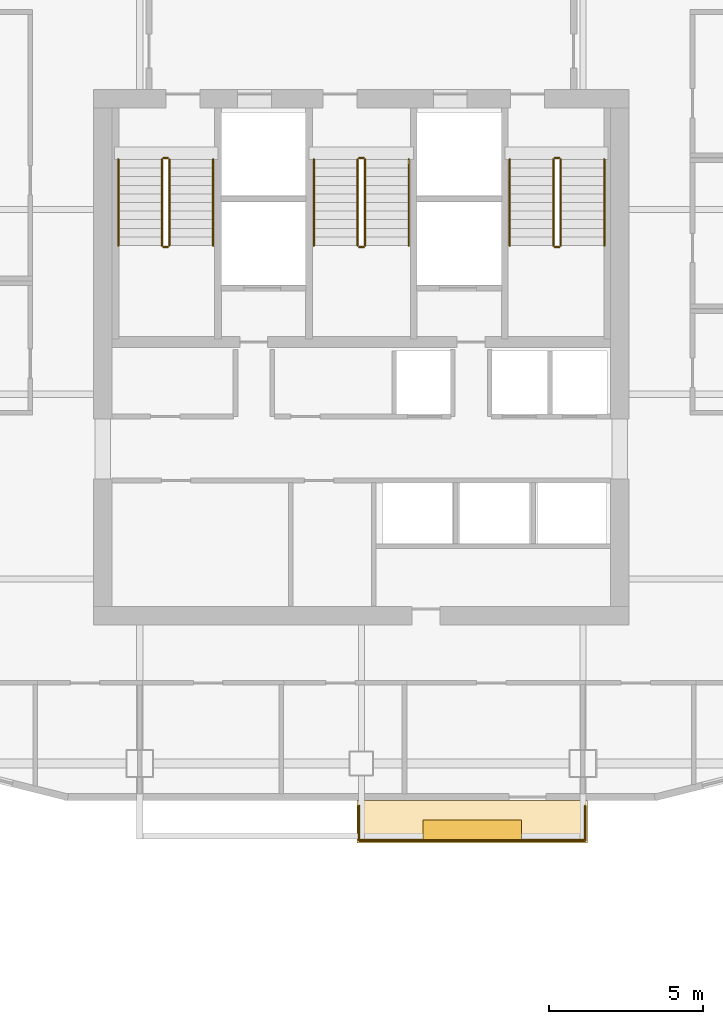
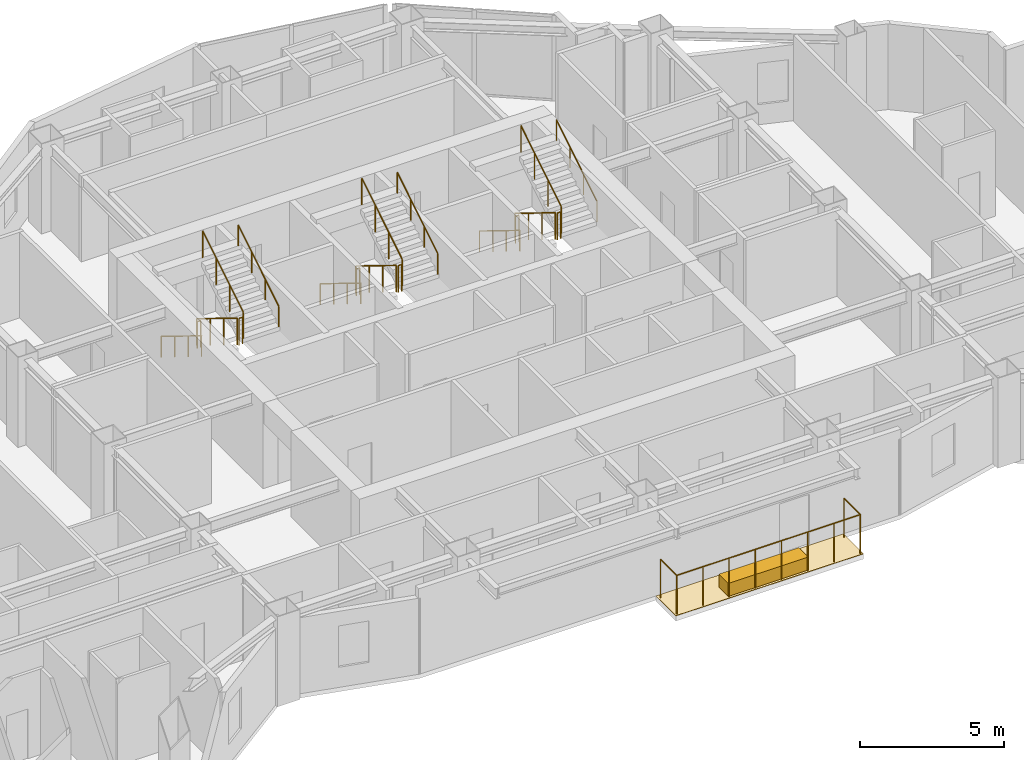
# One storey, part 11 of 11: 20 railings, 2 coverings.
"""IFC4 building model written with IfcOpenShell, lengths in metres."""

import ifcopenshell
import ifcopenshell.guid

model = None  # the IFC model being written
_history = None  # IfcOwnerHistory: only IFC2X3 demands one
_inside = {}  # id of a spatial element -> (the spatial element, [elements in it])
_under = {}  # id of a project, library or spatial element -> (it, [spatial elements below it])
_declared = {}  # id of a project -> (the project, [libraries it declares])
_typed = {}  # id of a type object -> (the type object, [elements of that type])
_made_of = {}  # id of a material, layer set ... -> (it, [elements and type objects made of it])


def new_model(schema):
    """Start an empty IFC model of exactly this schema.

    Asked for "IFC4X3", IfcOpenShell would pick the latest addendum, in which some entities
    have other attributes; the version numbers below select the first issue.
    IFC2X3 requires an IfcOwnerHistory on every rooted entity: one is made here for all.
    """
    global model, _history
    if schema == "IFC4X3":
        model = ifcopenshell.file(schema_version=(4, 3, 0, 0))
    else:
        model = ifcopenshell.file(schema=schema)
    _inside.clear()
    _under.clear()
    _declared.clear()
    _typed.clear()
    _made_of.clear()
    _history = None
    if model.schema == "IFC2X3":
        org = make("IfcOrganization", Name="unknown")
        user = make(
            "IfcPersonAndOrganization",
            ThePerson=make("IfcPerson", FamilyName="unknown"),
            TheOrganization=org,
        )
        app = make(
            "IfcApplication",
            ApplicationDeveloper=org,
            Version="unknown",
            ApplicationFullName="unknown",
            ApplicationIdentifier="unknown",
        )
        _history = make(
            "IfcOwnerHistory",
            OwningUser=user,
            OwningApplication=app,
            ChangeAction="ADDED",
            CreationDate=0,
        )
    return model


def make(cls, **values):
    """One entity of the class cls with the attributes given. An attribute that is None is left unset."""
    return model.create_entity(
        cls, **{name: value for name, value in values.items() if value is not None}
    )


def rooted(cls, **values):
    """An entity with a GlobalId (a new one), such as an element, a storey or a relation."""
    return make(cls, GlobalId=ifcopenshell.guid.new(), OwnerHistory=_history, **values)


def si_unit(unit_type, name, prefix=None):
    """IfcSIUnit, for example si_unit("LENGTHUNIT", "METRE", prefix="MILLI")."""
    return make("IfcSIUnit", UnitType=unit_type, Prefix=prefix, Name=name)


def assignment(units):
    """IfcUnitAssignment: the units of a project."""
    return None if units is None else make("IfcUnitAssignment", Units=units)


def point(xyz):
    """IfcCartesianPoint."""
    return None if xyz is None else make("IfcCartesianPoint", Coordinates=xyz)


def direction(xyz):
    """IfcDirection."""
    return None if xyz is None else make("IfcDirection", DirectionRatios=xyz)


def frame(location, z_axis=None, x_axis=None):
    """IfcAxis2Placement3D, a coordinate frame: its origin and axes. An axis left out is left unset."""
    return make(
        "IfcAxis2Placement3D",
        Location=point(location),
        Axis=direction(z_axis),
        RefDirection=direction(x_axis),
    )


def frame_2d(location, x_axis=None):
    """IfcAxis2Placement2D, a coordinate frame in the plane: its origin and x axis."""
    return make(
        "IfcAxis2Placement2D", Location=point(location), RefDirection=direction(x_axis)
    )


def origin():
    """The frame at (0, 0, 0) with its axes left unset."""
    return frame((0.0, 0.0, 0.0))


def origin_2d():
    """The frame at (0, 0) in the plane with its x axis left unset."""
    return frame_2d((0.0, 0.0))


def place(relative_to, where):
    """IfcLocalPlacement: puts the frame where relative to a parent placement (None: the world)."""
    return make(
        "IfcLocalPlacement", PlacementRelTo=relative_to, RelativePlacement=where
    )


def context(
    kind, dimensions, precision=None, world=None, true_north=None, identifier=None
):
    """IfcGeometricRepresentationContext, for example the 3D "Model" context."""
    return make(
        "IfcGeometricRepresentationContext",
        ContextIdentifier=identifier,
        ContextType=kind,
        CoordinateSpaceDimension=dimensions,
        Precision=precision,
        WorldCoordinateSystem=world,
        TrueNorth=true_north,
    )


def subcontext(parent, identifier, kind, view, scale=None):
    """IfcGeometricRepresentationSubContext, for example "Body" below "Model"."""
    return make(
        "IfcGeometricRepresentationSubContext",
        ContextIdentifier=identifier,
        ContextType=kind,
        ParentContext=parent,
        TargetScale=scale,
        TargetView=view,
    )


def project(units=None, contexts=None):
    """IfcProject with its units and contexts."""
    return rooted(
        "IfcProject",
        Name="project",
        RepresentationContexts=contexts,
        UnitsInContext=assignment(units),
    )


def spatial(cls, under=None, at=None, **own):
    """A site, building, storey or space (cls), placed at a placement, below another one or the project."""
    s = rooted(cls, ObjectPlacement=at, **own)
    if under is not None:
        _under.setdefault(under.id(), (under, []))[1].append(s)
    return s


def polyline(points):
    """IfcPolyline through the points."""
    return make("IfcPolyline", Points=[point(p) for p in points])


def profile(cls, at=None, kind="AREA", **sizes):
    """A parametric profile (cls). Its sizes go by their IFC names, for example OverallWidth=200.0."""
    return make(cls, ProfileType=kind, Position=at, **sizes)


def rectangle(**sizes):
    """IfcRectangleProfileDef."""
    return profile("IfcRectangleProfileDef", **sizes)


def circle(**sizes):
    """IfcCircleProfileDef."""
    return profile("IfcCircleProfileDef", **sizes)


def outline(outer, holes=None, kind="AREA"):
    """IfcArbitraryClosedProfileDef: a profile drawn as a closed curve; with holes, ...WithVoids."""
    if holes is None:
        return make("IfcArbitraryClosedProfileDef", ProfileType=kind, OuterCurve=outer)
    return make(
        "IfcArbitraryProfileDefWithVoids",
        ProfileType=kind,
        OuterCurve=outer,
        InnerCurves=holes,
    )


def extrude(swept, where, along, depth):
    """IfcExtrudedAreaSolid: the profile swept, set in the frame where, extruded along a direction by depth."""
    return make(
        "IfcExtrudedAreaSolid",
        SweptArea=swept,
        Position=where,
        ExtrudedDirection=direction(along),
        Depth=depth,
    )


def shape(context_of_items, identifier, shape_type, items):
    """IfcShapeRepresentation: the items that make up one representation, for example the "Body"."""
    return make(
        "IfcShapeRepresentation",
        ContextOfItems=context_of_items,
        RepresentationIdentifier=identifier,
        RepresentationType=shape_type,
        Items=items,
    )


def material(Name=None, Category=None):
    """IfcMaterial."""
    return make("IfcMaterial", Name=Name, Category=Category)


def layer(
    of_material, thickness, ventilated=None, Name=None, Category=None, Priority=None
):
    """IfcMaterialLayer: one layer of a wall or slab, of a material (None: an air gap)."""
    return make(
        "IfcMaterialLayer",
        Material=of_material,
        LayerThickness=thickness,
        IsVentilated=ventilated,
        Name=Name,
        Category=Category,
        Priority=Priority,
    )


def layer_set(layers, Name=None):
    """IfcMaterialLayerSet."""
    return make("IfcMaterialLayerSet", MaterialLayers=layers, LayerSetName=Name)


def made_of(thing, what):
    """Note that an element or type object is made of a material, layer set ...; save() writes the relation."""
    if what is not None:
        _made_of.setdefault(what.id(), (what, []))[1].append(thing)
    return thing


def type_object(cls, material=None, **own):
    """A type object (cls), such as IfcWallType, which elements share."""
    return made_of(rooted(cls, **own), material)


def element(
    cls,
    number,
    at=None,
    inside=None,
    cuts=None,
    type_object=None,
    material=None,
    context=None,
    identifier="Body",
    shape_type=None,
    held_by="IfcProductDefinitionShape",
    body=None,
    shapes=None,
    **own,
):
    """One element of the class cls, such as IfcWall. Its Tag is "e" and its number.

    at: its placement. inside: the storey or other place that contains it. cuts: it is an
    opening in that element (IfcRelVoidsElement). A single representation is given by context,
    identifier, shape_type and body (its items); several are given by shapes. held_by: the class
    of the entity that holds the representations. save() writes the other relations.
    """
    e = rooted(cls, Tag="e%d" % number, ObjectPlacement=at, **own)
    if body is not None:
        shapes = [shape(context, identifier, shape_type, body)]
    if shapes is not None:
        e.Representation = make(held_by, Representations=shapes)
    if inside is not None:
        _inside.setdefault(inside.id(), (inside, []))[1].append(e)
    if cuts is not None:
        rooted(
            "IfcRelVoidsElement", RelatingBuildingElement=cuts, RelatedOpeningElement=e
        )
    if type_object is not None:
        _typed.setdefault(type_object.id(), (type_object, []))[1].append(e)
    return made_of(e, material)


def aggregate(whole, parts):
    """IfcRelAggregates: a whole, such as a stair, and the parts it consists of."""
    return rooted("IfcRelAggregates", RelatingObject=whole, RelatedObjects=parts)


def save(model, path):
    """Write the relations noted so far, then the file.

    IfcRelAggregates (storeys below a building ...), IfcRelContainedInSpatialStructure (elements
    in a storey), IfcRelDefinesByType, IfcRelAssociatesMaterial and IfcRelDeclares: one each for
    every whole, place, type object, material and project.
    """
    for whole, parts in _under.values():
        aggregate(whole, parts)
    for where, things in _inside.values():
        rooted(
            "IfcRelContainedInSpatialStructure",
            RelatedElements=things,
            RelatingStructure=where,
        )
    for kind, things in _typed.values():
        rooted("IfcRelDefinesByType", RelatedObjects=things, RelatingType=kind)
    for what, things in _made_of.values():
        rooted("IfcRelAssociatesMaterial", RelatedObjects=things, RelatingMaterial=what)
    for by, libraries in _declared.values():
        rooted("IfcRelDeclares", RelatingContext=by, RelatedDefinitions=libraries)
    model.write(path)


model = new_model("IFC4")

# Units and contexts
model_context = context("Model", 3, precision=1e-05, world=origin(), true_north=direction((0.0, 1.0)))
body_context = subcontext(model_context, "Body", "Model", "MODEL_VIEW")
ifc_project = project(units=[si_unit("LENGTHUNIT", "METRE"), si_unit("AREAUNIT", "SQUARE_METRE"), si_unit("VOLUMEUNIT", "CUBIC_METRE"), si_unit("PLANEANGLEUNIT", "RADIAN"), si_unit("MASSUNIT", "GRAM", prefix="KILO")], contexts=[model_context])

# Site, building, storey
site_placement = place(None, origin())
site = spatial("IfcSite", under=ifc_project, at=site_placement, CompositionType="ELEMENT")
building_placement = place(site_placement, origin())
building = spatial("IfcBuilding", under=site, at=building_placement, Name="Haolan Belvedere Tower", CompositionType="ELEMENT")
storey_placement = place(building_placement, frame((0.0, 0.0, 188.0)))
storey = spatial("IfcBuildingStorey", under=building, at=storey_placement, Name="L47", CompositionType="ELEMENT", Elevation=188.0)

# Coverings
ifc_material_1 = material(Name="Engineered lightweight planted garden soil substrate", Category="masonry")
ifc_layer_1 = layer(ifc_material_1, 0.550048828125, Name="Engineered lightweight planted garden soil substrate")
ifc_layer_set_1 = layer_set([ifc_layer_1], Name="Engineered lightweight planted garden soil substrate")
covering_type_1 = type_object("IfcCoveringType", Name="COV-PLANT-550", PredefinedType="MEMBRANE", material=ifc_layer_set_1)
covering_1_placement = place(storey_placement, frame((42.0, 19.43994140625, 0.0), z_axis=(0.0, 0.0, 1.0), x_axis=(1.0, 0.0, 0.0)))
element("IfcCovering", 1, at=covering_1_placement, inside=storey, type_object=covering_type_1, Name="L47 structural tree balcony PLANTER box 1", PredefinedType="MEMBRANE", context=body_context, shape_type="SweptSolid", body=[
    extrude(rectangle(XDim=3.199951171875, YDim=0.64990234375, at=origin_2d()), origin(), (0.0, 0.0, 1.0), 0.550048828125),
])
ifc_material_2 = material(Name="Elastomeric waterproof roofing membrane and stone pavers", Category="masonry")
ifc_layer_2 = layer(ifc_material_2, 0.02001953125, Name="Elastomeric waterproof roofing membrane and stone pavers")
ifc_layer_set_2 = layer_set([ifc_layer_2], Name="Elastomeric waterproof roofing membrane and stone pavers")
covering_type_2 = type_object("IfcCoveringType", Name="COV-ROOF-20", PredefinedType="ROOFING", material=ifc_layer_set_2)
covering_2_placement = place(storey_placement, frame((0.0, 0.0, -0.02001953125)))
element("IfcCovering", 2, at=covering_2_placement, inside=storey, type_object=covering_type_2, Name="L47 tree-balcony waterproof membrane 1", PredefinedType="ROOFING", context=body_context, shape_type="SweptSolid", body=[
    extrude(outline(polyline([(38.25, 19.02001953125), (45.75, 19.02001953125), (45.75, 20.39990234375), (38.25, 20.39990234375), (38.25, 19.02001953125)])), origin(), (0.0, 0.0, 1.0), 0.02001953125),
])

# Railings
ifc_material_3 = material(Name="Brushed stainless steel 304", Category="steel")
railing_type_1 = type_object("IfcRailingType", Name="RL-STAIR-GRD-1150", PredefinedType="GUARDRAIL", material=ifc_material_3)
railing_1_placement = place(storey_placement, frame((31.919921875, 41.22998046875, 0.172607421875)))
element("IfcRailing", 3, at=railing_1_placement, inside=storey, type_object=railing_type_1, Name="L47 ST1 stair guard 1", PredefinedType="GUARDRAIL", context=body_context, shape_type="SweptSolid", body=[
    extrude(circle(Radius=0.02392578125, at=origin_2d()), frame((0.0, 0.0, 1.1259765625), z_axis=(0.0, -0.851089632645, 0.525020415988), x_axis=(1.0, 0.0, 0.0)), (0.0, 0.0, 1.0), 3.2900390625),
    extrude(circle(Radius=0.02099609375, at=origin_2d()), origin(), (0.0, 0.0, 1.0), 1.101806640625),
    extrude(circle(Radius=0.02099609375, at=origin_2d()), frame((0.0, -0.933349609375, 0.57568359375)), (0.0, 0.0, 1.0), 1.101806640625),
    extrude(circle(Radius=0.02099609375, at=origin_2d()), frame((0.0, -1.86669921875, 1.151611328125)), (0.0, 0.0, 1.0), 1.101806640625),
    extrude(circle(Radius=0.02099609375, at=origin_2d()), frame((0.0, -2.800048828125, 1.727294921875)), (0.0, 0.0, 1.0), 1.101806640625),
])
railing_2_placement = place(storey_placement, frame((31.969970703125, 38.3798828125, 1.89990234375)))
element("IfcRailing", 4, at=railing_2_placement, inside=storey, type_object=railing_type_1, Name="L47 ST1 stair guard 2", PredefinedType="GUARDRAIL", context=body_context, shape_type="SweptSolid", body=[
    extrude(circle(Radius=0.02392578125, at=origin_2d()), frame((0.0, 0.0, 1.1259765625), z_axis=(1.0, 0.0, 0.0), x_axis=(0.0, 1.0, 0.0)), (0.0, 0.0, 1.0), 0.14013671875),
    extrude(circle(Radius=0.02099609375, at=origin_2d()), origin(), (0.0, 0.0, 1.0), 1.101806640625),
    extrude(circle(Radius=0.02099609375, at=origin_2d()), frame((0.14013671875, 0.0, 0.0)), (0.0, 0.0, 1.0), 1.101806640625),
])
railing_3_placement = place(storey_placement, frame((32.159912109375, 38.429931640625, 2.07275390625)))
element("IfcRailing", 5, at=railing_3_placement, inside=storey, type_object=railing_type_1, Name="L47 ST1 stair guard 3", PredefinedType="GUARDRAIL", context=body_context, shape_type="SweptSolid", body=[
    extrude(circle(Radius=0.02392578125, at=origin_2d()), frame((0.0, 0.0, 1.1259765625), z_axis=(0.0, 0.851089632645, 0.525020415988), x_axis=(-1.0, 0.0, 0.0)), (0.0, 0.0, 1.0), 3.2900390625),
    extrude(circle(Radius=0.02099609375, at=origin_2d()), origin(), (0.0, 0.0, 1.0), 1.101806640625),
    extrude(circle(Radius=0.02099609375, at=origin_2d()), frame((0.0, 0.933349609375, 0.57568359375)), (0.0, 0.0, 1.0), 1.101806640625),
    extrude(circle(Radius=0.02099609375, at=origin_2d()), frame((0.0, 1.86669921875, 1.151611328125)), (0.0, 0.0, 1.0), 1.101806640625),
    extrude(circle(Radius=0.02099609375, at=origin_2d()), frame((0.0, 2.800048828125, 1.727294921875)), (0.0, 0.0, 1.0), 1.101806640625),
])
railing_4_placement = place(storey_placement, frame((31.969970703125, 41.280029296875, 0.0)))
element("IfcRailing", 6, at=railing_4_placement, inside=storey, type_object=railing_type_1, Name="L47 ST1 stair guard 4", PredefinedType="GUARDRAIL", context=body_context, shape_type="SweptSolid", body=[
    extrude(circle(Radius=0.02392578125, at=origin_2d()), frame((0.0, 0.0, 1.1259765625), z_axis=(1.0, 0.0, 0.0), x_axis=(0.0, 1.0, 0.0)), (0.0, 0.0, 1.0), 0.14013671875),
    extrude(circle(Radius=0.02099609375, at=origin_2d()), origin(), (0.0, 0.0, 1.0), 1.101806640625),
    extrude(circle(Radius=0.02099609375, at=origin_2d()), frame((0.14013671875, 0.0, 0.0)), (0.0, 0.0, 1.0), 1.101806640625),
])
railing_5_placement = place(storey_placement, frame((38.280029296875, 41.22998046875, 0.172607421875)))
element("IfcRailing", 7, at=railing_5_placement, inside=storey, type_object=railing_type_1, Name="L47 ST3 stair guard 1", PredefinedType="GUARDRAIL", context=body_context, shape_type="SweptSolid", body=[
    extrude(circle(Radius=0.02392578125, at=origin_2d()), frame((0.0, 0.0, 1.1259765625), z_axis=(0.0, -0.851089632645, 0.525020415988), x_axis=(1.0, 0.0, 0.0)), (0.0, 0.0, 1.0), 3.2900390625),
    extrude(circle(Radius=0.02099609375, at=origin_2d()), origin(), (0.0, 0.0, 1.0), 1.101806640625),
    extrude(circle(Radius=0.02099609375, at=origin_2d()), frame((0.0, -0.933349609375, 0.57568359375)), (0.0, 0.0, 1.0), 1.101806640625),
    extrude(circle(Radius=0.02099609375, at=origin_2d()), frame((0.0, -1.86669921875, 1.151611328125)), (0.0, 0.0, 1.0), 1.101806640625),
    extrude(circle(Radius=0.02099609375, at=origin_2d()), frame((0.0, -2.800048828125, 1.727294921875)), (0.0, 0.0, 1.0), 1.101806640625),
])
railing_6_placement = place(storey_placement, frame((38.330078125, 38.3798828125, 1.89990234375)))
element("IfcRailing", 8, at=railing_6_placement, inside=storey, type_object=railing_type_1, Name="L47 ST3 stair guard 2", PredefinedType="GUARDRAIL", context=body_context, shape_type="SweptSolid", body=[
    extrude(circle(Radius=0.02392578125, at=origin_2d()), frame((0.0, 0.0, 1.1259765625), z_axis=(1.0, 0.0, 0.0), x_axis=(0.0, 1.0, 0.0)), (0.0, 0.0, 1.0), 0.139892578125),
    extrude(circle(Radius=0.02099609375, at=origin_2d()), origin(), (0.0, 0.0, 1.0), 1.101806640625),
    extrude(circle(Radius=0.02099609375, at=origin_2d()), frame((0.139892578125, 0.0, 0.0)), (0.0, 0.0, 1.0), 1.101806640625),
])
railing_7_placement = place(storey_placement, frame((38.52001953125, 38.429931640625, 2.07275390625)))
element("IfcRailing", 9, at=railing_7_placement, inside=storey, type_object=railing_type_1, Name="L47 ST3 stair guard 3", PredefinedType="GUARDRAIL", context=body_context, shape_type="SweptSolid", body=[
    extrude(circle(Radius=0.02392578125, at=origin_2d()), frame((0.0, 0.0, 1.1259765625), z_axis=(0.0, 0.851089632645, 0.525020415988), x_axis=(-1.0, 0.0, 0.0)), (0.0, 0.0, 1.0), 3.2900390625),
    extrude(circle(Radius=0.02099609375, at=origin_2d()), origin(), (0.0, 0.0, 1.0), 1.101806640625),
    extrude(circle(Radius=0.02099609375, at=origin_2d()), frame((0.0, 0.933349609375, 0.57568359375)), (0.0, 0.0, 1.0), 1.101806640625),
    extrude(circle(Radius=0.02099609375, at=origin_2d()), frame((0.0, 1.86669921875, 1.151611328125)), (0.0, 0.0, 1.0), 1.101806640625),
    extrude(circle(Radius=0.02099609375, at=origin_2d()), frame((0.0, 2.800048828125, 1.727294921875)), (0.0, 0.0, 1.0), 1.101806640625),
])
railing_8_placement = place(storey_placement, frame((38.330078125, 41.280029296875, 0.0)))
element("IfcRailing", 10, at=railing_8_placement, inside=storey, type_object=railing_type_1, Name="L47 ST3 stair guard 4", PredefinedType="GUARDRAIL", context=body_context, shape_type="SweptSolid", body=[
    extrude(circle(Radius=0.02392578125, at=origin_2d()), frame((0.0, 0.0, 1.1259765625), z_axis=(1.0, 0.0, 0.0), x_axis=(0.0, 1.0, 0.0)), (0.0, 0.0, 1.0), 0.139892578125),
    extrude(circle(Radius=0.02099609375, at=origin_2d()), origin(), (0.0, 0.0, 1.0), 1.101806640625),
    extrude(circle(Radius=0.02099609375, at=origin_2d()), frame((0.139892578125, 0.0, 0.0)), (0.0, 0.0, 1.0), 1.101806640625),
])
railing_9_placement = place(storey_placement, frame((44.639892578125, 41.22998046875, 0.172607421875)))
element("IfcRailing", 11, at=railing_9_placement, inside=storey, type_object=railing_type_1, Name="L47 ST2 stair guard 1", PredefinedType="GUARDRAIL", context=body_context, shape_type="SweptSolid", body=[
    extrude(circle(Radius=0.02392578125, at=origin_2d()), frame((0.0, 0.0, 1.1259765625), z_axis=(0.0, -0.851089632645, 0.525020415988), x_axis=(1.0, 0.0, 0.0)), (0.0, 0.0, 1.0), 3.2900390625),
    extrude(circle(Radius=0.02099609375, at=origin_2d()), origin(), (0.0, 0.0, 1.0), 1.101806640625),
    extrude(circle(Radius=0.02099609375, at=origin_2d()), frame((0.0, -0.933349609375, 0.57568359375)), (0.0, 0.0, 1.0), 1.101806640625),
    extrude(circle(Radius=0.02099609375, at=origin_2d()), frame((0.0, -1.86669921875, 1.151611328125)), (0.0, 0.0, 1.0), 1.101806640625),
    extrude(circle(Radius=0.02099609375, at=origin_2d()), frame((0.0, -2.800048828125, 1.727294921875)), (0.0, 0.0, 1.0), 1.101806640625),
])
railing_10_placement = place(storey_placement, frame((44.68994140625, 38.3798828125, 1.89990234375)))
element("IfcRailing", 12, at=railing_10_placement, inside=storey, type_object=railing_type_1, Name="L47 ST2 stair guard 2", PredefinedType="GUARDRAIL", context=body_context, shape_type="SweptSolid", body=[
    extrude(circle(Radius=0.02392578125, at=origin_2d()), frame((0.0, 0.0, 1.1259765625), z_axis=(1.0, 0.0, 0.0), x_axis=(0.0, 1.0, 0.0)), (0.0, 0.0, 1.0), 0.14013671875),
    extrude(circle(Radius=0.02099609375, at=origin_2d()), origin(), (0.0, 0.0, 1.0), 1.101806640625),
    extrude(circle(Radius=0.02099609375, at=origin_2d()), frame((0.14013671875, 0.0, 0.0)), (0.0, 0.0, 1.0), 1.101806640625),
])
railing_11_placement = place(storey_placement, frame((44.8798828125, 38.429931640625, 2.07275390625)))
element("IfcRailing", 13, at=railing_11_placement, inside=storey, type_object=railing_type_1, Name="L47 ST2 stair guard 3", PredefinedType="GUARDRAIL", context=body_context, shape_type="SweptSolid", body=[
    extrude(circle(Radius=0.02392578125, at=origin_2d()), frame((0.0, 0.0, 1.1259765625), z_axis=(0.0, 0.851089632645, 0.525020415988), x_axis=(-1.0, 0.0, 0.0)), (0.0, 0.0, 1.0), 3.2900390625),
    extrude(circle(Radius=0.02099609375, at=origin_2d()), origin(), (0.0, 0.0, 1.0), 1.101806640625),
    extrude(circle(Radius=0.02099609375, at=origin_2d()), frame((0.0, 0.933349609375, 0.57568359375)), (0.0, 0.0, 1.0), 1.101806640625),
    extrude(circle(Radius=0.02099609375, at=origin_2d()), frame((0.0, 1.86669921875, 1.151611328125)), (0.0, 0.0, 1.0), 1.101806640625),
    extrude(circle(Radius=0.02099609375, at=origin_2d()), frame((0.0, 2.800048828125, 1.727294921875)), (0.0, 0.0, 1.0), 1.101806640625),
])
railing_12_placement = place(storey_placement, frame((44.68994140625, 41.280029296875, 0.0)))
element("IfcRailing", 14, at=railing_12_placement, inside=storey, type_object=railing_type_1, Name="L47 ST2 stair guard 4", PredefinedType="GUARDRAIL", context=body_context, shape_type="SweptSolid", body=[
    extrude(circle(Radius=0.02392578125, at=origin_2d()), frame((0.0, 0.0, 1.1259765625), z_axis=(1.0, 0.0, 0.0), x_axis=(0.0, 1.0, 0.0)), (0.0, 0.0, 1.0), 0.14013671875),
    extrude(circle(Radius=0.02099609375, at=origin_2d()), origin(), (0.0, 0.0, 1.0), 1.101806640625),
    extrude(circle(Radius=0.02099609375, at=origin_2d()), frame((0.14013671875, 0.0, 0.0)), (0.0, 0.0, 1.0), 1.101806640625),
])
railing_type_2 = type_object("IfcRailingType", Name="RL-STAIR-HND-900", PredefinedType="HANDRAIL", material=ifc_material_3)
railing_13_placement = place(storey_placement, frame((30.5, 41.22998046875, 0.172607421875)))
element("IfcRailing", 15, at=railing_13_placement, inside=storey, type_object=railing_type_2, Name="L47 ST1 stair handrail 1", PredefinedType="HANDRAIL", context=body_context, shape_type="SweptSolid", body=[
    extrude(circle(Radius=0.02392578125, at=origin_2d()), frame((0.0, 0.0, 0.8759765625), z_axis=(0.0, -0.851089632645, 0.525020415988), x_axis=(1.0, 0.0, 0.0)), (0.0, 0.0, 1.0), 3.2900390625),
    extrude(circle(Radius=0.02099609375, at=origin_2d()), origin(), (0.0, 0.0, 1.0), 0.851806640625),
    extrude(circle(Radius=0.02099609375, at=origin_2d()), frame((0.0, -0.933349609375, 0.57568359375)), (0.0, 0.0, 1.0), 0.851806640625),
    extrude(circle(Radius=0.02099609375, at=origin_2d()), frame((0.0, -1.86669921875, 1.151611328125)), (0.0, 0.0, 1.0), 0.851806640625),
    extrude(circle(Radius=0.02099609375, at=origin_2d()), frame((0.0, -2.800048828125, 1.727294921875)), (0.0, 0.0, 1.0), 0.851806640625),
])
railing_14_placement = place(storey_placement, frame((33.580078125, 38.429931640625, 2.07275390625)))
element("IfcRailing", 16, at=railing_14_placement, inside=storey, type_object=railing_type_2, Name="L47 ST1 stair handrail 2", PredefinedType="HANDRAIL", context=body_context, shape_type="SweptSolid", body=[
    extrude(circle(Radius=0.02392578125, at=origin_2d()), frame((0.0, 0.0, 0.8759765625), z_axis=(0.0, 0.851089632645, 0.525020415988), x_axis=(-1.0, 0.0, 0.0)), (0.0, 0.0, 1.0), 3.2900390625),
    extrude(circle(Radius=0.02099609375, at=origin_2d()), origin(), (0.0, 0.0, 1.0), 0.851806640625),
    extrude(circle(Radius=0.02099609375, at=origin_2d()), frame((0.0, 0.933349609375, 0.57568359375)), (0.0, 0.0, 1.0), 0.851806640625),
    extrude(circle(Radius=0.02099609375, at=origin_2d()), frame((0.0, 1.86669921875, 1.151611328125)), (0.0, 0.0, 1.0), 0.851806640625),
    extrude(circle(Radius=0.02099609375, at=origin_2d()), frame((0.0, 2.800048828125, 1.727294921875)), (0.0, 0.0, 1.0), 0.851806640625),
])
railing_15_placement = place(storey_placement, frame((36.860107421875, 41.22998046875, 0.172607421875)))
element("IfcRailing", 17, at=railing_15_placement, inside=storey, type_object=railing_type_2, Name="L47 ST3 stair handrail 1", PredefinedType="HANDRAIL", context=body_context, shape_type="SweptSolid", body=[
    extrude(circle(Radius=0.02392578125, at=origin_2d()), frame((0.0, 0.0, 0.8759765625), z_axis=(0.0, -0.851089632645, 0.525020415988), x_axis=(1.0, 0.0, 0.0)), (0.0, 0.0, 1.0), 3.2900390625),
    extrude(circle(Radius=0.02099609375, at=origin_2d()), origin(), (0.0, 0.0, 1.0), 0.851806640625),
    extrude(circle(Radius=0.02099609375, at=origin_2d()), frame((0.0, -0.933349609375, 0.57568359375)), (0.0, 0.0, 1.0), 0.851806640625),
    extrude(circle(Radius=0.02099609375, at=origin_2d()), frame((0.0, -1.86669921875, 1.151611328125)), (0.0, 0.0, 1.0), 0.851806640625),
    extrude(circle(Radius=0.02099609375, at=origin_2d()), frame((0.0, -2.800048828125, 1.727294921875)), (0.0, 0.0, 1.0), 0.851806640625),
])
railing_16_placement = place(storey_placement, frame((39.93994140625, 38.429931640625, 2.07275390625)))
element("IfcRailing", 18, at=railing_16_placement, inside=storey, type_object=railing_type_2, Name="L47 ST3 stair handrail 2", PredefinedType="HANDRAIL", context=body_context, shape_type="SweptSolid", body=[
    extrude(circle(Radius=0.02392578125, at=origin_2d()), frame((0.0, 0.0, 0.8759765625), z_axis=(0.0, 0.851089632645, 0.525020415988), x_axis=(-1.0, 0.0, 0.0)), (0.0, 0.0, 1.0), 3.2900390625),
    extrude(circle(Radius=0.02099609375, at=origin_2d()), origin(), (0.0, 0.0, 1.0), 0.851806640625),
    extrude(circle(Radius=0.02099609375, at=origin_2d()), frame((0.0, 0.933349609375, 0.57568359375)), (0.0, 0.0, 1.0), 0.851806640625),
    extrude(circle(Radius=0.02099609375, at=origin_2d()), frame((0.0, 1.86669921875, 1.151611328125)), (0.0, 0.0, 1.0), 0.851806640625),
    extrude(circle(Radius=0.02099609375, at=origin_2d()), frame((0.0, 2.800048828125, 1.727294921875)), (0.0, 0.0, 1.0), 0.851806640625),
])
railing_17_placement = place(storey_placement, frame((43.219970703125, 41.22998046875, 0.172607421875)))
element("IfcRailing", 19, at=railing_17_placement, inside=storey, type_object=railing_type_2, Name="L47 ST2 stair handrail 1", PredefinedType="HANDRAIL", context=body_context, shape_type="SweptSolid", body=[
    extrude(circle(Radius=0.02392578125, at=origin_2d()), frame((0.0, 0.0, 0.8759765625), z_axis=(0.0, -0.851089632645, 0.525020415988), x_axis=(1.0, 0.0, 0.0)), (0.0, 0.0, 1.0), 3.2900390625),
    extrude(circle(Radius=0.02099609375, at=origin_2d()), origin(), (0.0, 0.0, 1.0), 0.851806640625),
    extrude(circle(Radius=0.02099609375, at=origin_2d()), frame((0.0, -0.933349609375, 0.57568359375)), (0.0, 0.0, 1.0), 0.851806640625),
    extrude(circle(Radius=0.02099609375, at=origin_2d()), frame((0.0, -1.86669921875, 1.151611328125)), (0.0, 0.0, 1.0), 0.851806640625),
    extrude(circle(Radius=0.02099609375, at=origin_2d()), frame((0.0, -2.800048828125, 1.727294921875)), (0.0, 0.0, 1.0), 0.851806640625),
])
railing_18_placement = place(storey_placement, frame((46.300048828125, 38.429931640625, 2.07275390625)))
element("IfcRailing", 20, at=railing_18_placement, inside=storey, type_object=railing_type_2, Name="L47 ST2 stair handrail 2", PredefinedType="HANDRAIL", context=body_context, shape_type="SweptSolid", body=[
    extrude(circle(Radius=0.02392578125, at=origin_2d()), frame((0.0, 0.0, 0.8759765625), z_axis=(0.0, 0.851089632645, 0.525020415988), x_axis=(-1.0, 0.0, 0.0)), (0.0, 0.0, 1.0), 3.2900390625),
    extrude(circle(Radius=0.02099609375, at=origin_2d()), origin(), (0.0, 0.0, 1.0), 0.851806640625),
    extrude(circle(Radius=0.02099609375, at=origin_2d()), frame((0.0, 0.933349609375, 0.57568359375)), (0.0, 0.0, 1.0), 0.851806640625),
    extrude(circle(Radius=0.02099609375, at=origin_2d()), frame((0.0, 1.86669921875, 1.151611328125)), (0.0, 0.0, 1.0), 0.851806640625),
    extrude(circle(Radius=0.02099609375, at=origin_2d()), frame((0.0, 2.800048828125, 1.727294921875)), (0.0, 0.0, 1.0), 0.851806640625),
])
ifc_material_4 = material(Name="Anodised aluminium and laminated glass balustrade", Category="aluminium")
railing_type_3 = type_object("IfcRailingType", Name="RL-TER-BAL-1150", PredefinedType="BALUSTRADE", material=ifc_material_4)
railing_19_placement = place(storey_placement, frame((38.330078125, 19.10009765625, 0.0)))
element("IfcRailing", 21, at=railing_19_placement, inside=storey, type_object=railing_type_3, Name="L47 outdoor perimeter balustrade BAL-L47-1-1", PredefinedType="BALUSTRADE", context=body_context, shape_type="SweptSolid", body=[
    extrude(circle(Radius=0.02392578125, at=origin_2d()), frame((0.0, 0.0, 1.6259765625), z_axis=(0.0, 1.0, 0.0), x_axis=(-1.0, 0.0, 0.0)), (0.0, 0.0, 1.0), 1.119873046875),
    extrude(circle(Radius=0.02099609375, at=origin_2d()), origin(), (0.0, 0.0, 1.0), 1.601806640625),
    extrude(circle(Radius=0.02099609375, at=origin_2d()), frame((0.0, 1.119873046875, 0.0)), (0.0, 0.0, 1.0), 1.601806640625),
])
railing_20_placement = place(storey_placement, frame((45.669921875, 20.219970703125, 0.0)))
element("IfcRailing", 22, at=railing_20_placement, inside=storey, type_object=railing_type_3, Name="L47 outdoor perimeter balustrade BAL-L47-1-2", PredefinedType="BALUSTRADE", context=body_context, shape_type="SweptSolid", body=[
    extrude(circle(Radius=0.02392578125, at=origin_2d()), frame((0.0, 0.0, 1.6259765625), z_axis=(0.0, -1.0, 0.0), x_axis=(1.0, 0.0, 0.0)), (0.0, 0.0, 1.0), 1.119873046875),
    extrude(circle(Radius=0.02392578125, at=origin_2d()), frame((0.0, -1.119873046875, 1.6259765625), z_axis=(-1.0, 0.0, 0.0), x_axis=(0.0, -1.0, 0.0)), (0.0, 0.0, 1.0), 7.33984375),
    extrude(circle(Radius=0.02099609375, at=origin_2d()), origin(), (0.0, 0.0, 1.0), 1.601806640625),
    extrude(circle(Radius=0.02099609375, at=origin_2d()), frame((0.0, -1.119873046875, 0.0)), (0.0, 0.0, 1.0), 1.601806640625),
    extrude(circle(Radius=0.02099609375, at=origin_2d()), frame((-1.048583984375, -1.119873046875, 0.0)), (0.0, 0.0, 1.0), 1.601806640625),
    extrude(circle(Radius=0.02099609375, at=origin_2d()), frame((-2.09716796875, -1.119873046875, 0.0)), (0.0, 0.0, 1.0), 1.601806640625),
    extrude(circle(Radius=0.02099609375, at=origin_2d()), frame((-3.145751953125, -1.119873046875, 0.0)), (0.0, 0.0, 1.0), 1.601806640625),
    extrude(circle(Radius=0.02099609375, at=origin_2d()), frame((-4.194091796875, -1.119873046875, 0.0)), (0.0, 0.0, 1.0), 1.601806640625),
    extrude(circle(Radius=0.02099609375, at=origin_2d()), frame((-5.24267578125, -1.119873046875, 0.0)), (0.0, 0.0, 1.0), 1.601806640625),
    extrude(circle(Radius=0.02099609375, at=origin_2d()), frame((-6.291259765625, -1.119873046875, 0.0)), (0.0, 0.0, 1.0), 1.601806640625),
    extrude(circle(Radius=0.02099609375, at=origin_2d()), frame((-7.33984375, -1.119873046875, 0.0)), (0.0, 0.0, 1.0), 1.601806640625),
])

save(model, "model.ifc")
